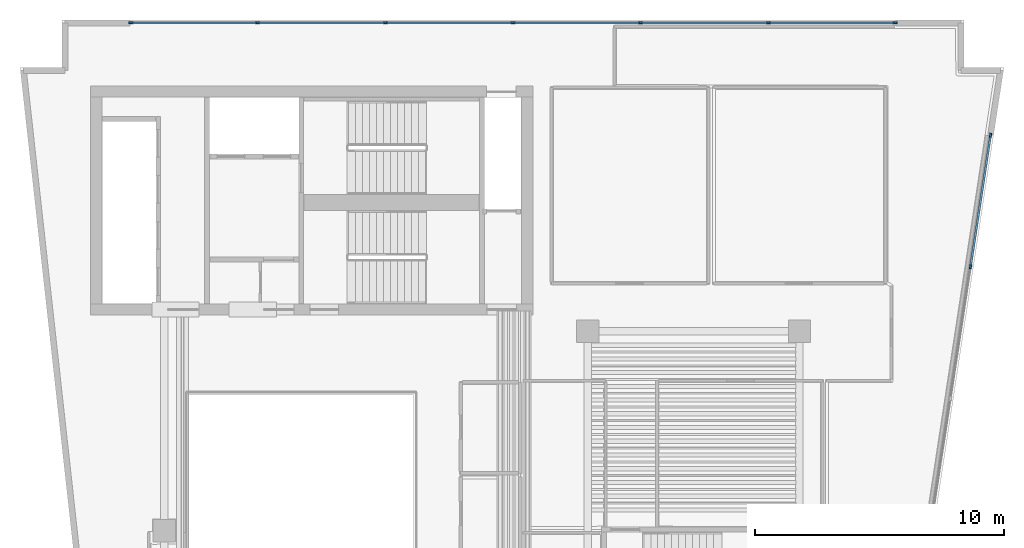
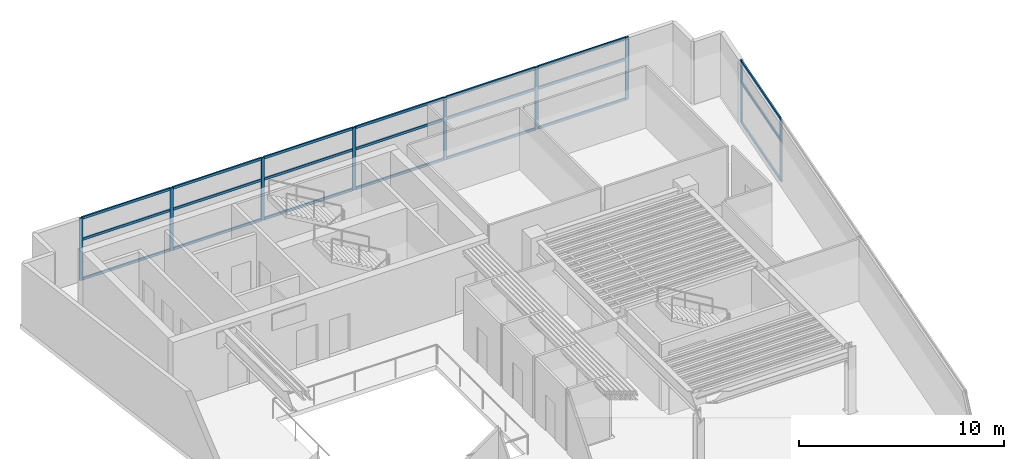
# One storey, part 2 of 8: 30 members, 2 elements without a shape of their own.
"""IFC4 building model written with IfcOpenShell, lengths in metres."""

from ifc_helpers import new_model, si_unit, direction, frame, origin, origin_2d, place, context, subcontext, project, spatial, rectangle, extrude, material, layer, layer_set, material_profile, profile_set, type_object, element, aggregate, save


model = new_model("IFC4")

# Units and contexts
model_context = context("Model", 3, precision=1e-05, world=origin(), true_north=direction((0.0, 1.0)))
body_context = subcontext(model_context, "Body", "Model", "MODEL_VIEW")
ifc_project = project(units=[si_unit("LENGTHUNIT", "METRE"), si_unit("AREAUNIT", "SQUARE_METRE"), si_unit("VOLUMEUNIT", "CUBIC_METRE"), si_unit("PLANEANGLEUNIT", "RADIAN"), si_unit("MASSUNIT", "GRAM", prefix="KILO")], contexts=[model_context])

# Site, building, storey
site_placement = place(None, origin())
site = spatial("IfcSite", under=ifc_project, at=site_placement, CompositionType="ELEMENT")
building_placement = place(site_placement, origin())
building = spatial("IfcBuilding", under=site, at=building_placement, Name="Caeloran Harvest Quay", CompositionType="ELEMENT")
storey_placement = place(building_placement, frame((0.0, 0.0, 239.050048828125)))
storey = spatial("IfcBuildingStorey", under=building, at=storey_placement, Name="L57", CompositionType="ELEMENT", Elevation=239.050048828125)

# Curtain wall, members
ifc_material_1 = material(Name="Aluminium 6063-T6 and Low-E Glazing", Category="aluminium")
ifc_layer = layer(ifc_material_1, 0.219970703125, Name="Aluminium 6063-T6 and Low-E Glazing")
ifc_layer_set = layer_set([ifc_layer], Name="Aluminium 6063-T6 and Low-E Glazing")
curtain_wall_type = type_object("IfcCurtainWallType", Name="CW-SYS-CW-5", PredefinedType="USERDEFINED", material=ifc_layer_set)
curtain_wall_1_placement = place(storey_placement, origin())
curtain_wall_1 = element("IfcCurtainWall", 1, at=curtain_wall_1_placement, inside=storey, type_object=curtain_wall_type, Name="L57 Unitised Curtain Wall CW-5 Run 6", ObjectType="CURTAIN_WALL", PredefinedType="USERDEFINED")
ifc_material_2 = material(Name="Aluminium 6063-T6", Category="aluminium")
ifc_material_profile_1 = material_profile(ifc_material_2, rectangle(XDim=0.080078125, YDim=0.179931640625, at=origin_2d()), Name="CW-MULLION-180")
ifc_profile_set_1 = profile_set([ifc_material_profile_1], Name="Aluminium 6063-T6")
member_type_1 = type_object("IfcMemberType", Name="CW-MULLION-180", PredefinedType="MULLION", material=ifc_profile_set_1)
member_1_placement = place(storey_placement, frame((7.159912109375, 43.3798828125, 0.0), z_axis=(0.0, 0.0, 1.0), x_axis=(0.0, 1.0, 0.0)))
member_1 = element("IfcMember", 2, at=member_1_placement, type_object=member_type_1, Name="CW-5 mullion 1", PredefinedType="MULLION", context=body_context, shape_type="SweptSolid", body=[
    extrude(rectangle(XDim=0.080078125, YDim=0.179931640625, at=origin_2d()), origin(), (0.0, 0.0, 1.0), 3.699951171875),
])
member_2_placement = place(storey_placement, frame((12.24658203125, 43.3798828125, 0.0), z_axis=(0.0, 0.0, 1.0), x_axis=(0.0, 1.0, 0.0)))
member_2 = element("IfcMember", 3, at=member_2_placement, type_object=member_type_1, Name="CW-5 mullion 2", PredefinedType="MULLION", context=body_context, shape_type="SweptSolid", body=[
    extrude(rectangle(XDim=0.080078125, YDim=0.179931640625, at=origin_2d()), origin(), (0.0, 0.0, 1.0), 3.699951171875),
])
member_3_placement = place(storey_placement, frame((17.373291015625, 43.3798828125, 0.0), z_axis=(0.0, 0.0, 1.0), x_axis=(0.0, 1.0, 0.0)))
member_3 = element("IfcMember", 4, at=member_3_placement, type_object=member_type_1, Name="CW-5 mullion 3", PredefinedType="MULLION", context=body_context, shape_type="SweptSolid", body=[
    extrude(rectangle(XDim=0.080078125, YDim=0.179931640625, at=origin_2d()), origin(), (0.0, 0.0, 1.0), 3.699951171875),
])
member_4_placement = place(storey_placement, frame((22.5, 43.3798828125, 0.0), z_axis=(0.0, 0.0, 1.0), x_axis=(0.0, 1.0, 0.0)))
member_4 = element("IfcMember", 5, at=member_4_placement, type_object=member_type_1, Name="CW-5 mullion 4", PredefinedType="MULLION", context=body_context, shape_type="SweptSolid", body=[
    extrude(rectangle(XDim=0.080078125, YDim=0.179931640625, at=origin_2d()), origin(), (0.0, 0.0, 1.0), 3.699951171875),
])
member_5_placement = place(storey_placement, frame((27.626708984375, 43.3798828125, 0.0), z_axis=(0.0, 0.0, 1.0), x_axis=(0.0, 1.0, 0.0)))
member_5 = element("IfcMember", 6, at=member_5_placement, type_object=member_type_1, Name="CW-5 mullion 5", PredefinedType="MULLION", context=body_context, shape_type="SweptSolid", body=[
    extrude(rectangle(XDim=0.080078125, YDim=0.179931640625, at=origin_2d()), origin(), (0.0, 0.0, 1.0), 3.699951171875),
])
member_6_placement = place(storey_placement, frame((32.75341796875, 43.3798828125, 0.0), z_axis=(0.0, 0.0, 1.0), x_axis=(0.0, 1.0, 0.0)))
member_6 = element("IfcMember", 7, at=member_6_placement, type_object=member_type_1, Name="CW-5 mullion 6", PredefinedType="MULLION", context=body_context, shape_type="SweptSolid", body=[
    extrude(rectangle(XDim=0.080078125, YDim=0.179931640625, at=origin_2d()), origin(), (0.0, 0.0, 1.0), 3.699951171875),
])
member_7_placement = place(storey_placement, frame((37.840087890625, 43.3798828125, 0.0), z_axis=(0.0, 0.0, 1.0), x_axis=(0.0, 1.0, 0.0)))
member_7 = element("IfcMember", 8, at=member_7_placement, type_object=member_type_1, Name="CW-5 mullion 7", PredefinedType="MULLION", context=body_context, shape_type="SweptSolid", body=[
    extrude(rectangle(XDim=0.080078125, YDim=0.179931640625, at=origin_2d()), origin(), (0.0, 0.0, 1.0), 3.699951171875),
])

curtain_wall_2_placement = place(storey_placement, origin())
curtain_wall_2 = element("IfcCurtainWall", 9, at=curtain_wall_2_placement, inside=storey, type_object=curtain_wall_type, Name="L57 Unitised Curtain Wall CW-5 Run 9", ObjectType="CURTAIN_WALL", PredefinedType="USERDEFINED")
member_8_placement = place(storey_placement, frame((41.671142578125, 38.870361328125, 0.0), z_axis=(0.0, 0.0, 1.0), x_axis=(0.988529547698, -0.151027591278, 0.0)))
member_8 = element("IfcMember", 10, at=member_8_placement, type_object=member_type_1, Name="CW-5 mullion 1", PredefinedType="MULLION", context=body_context, shape_type="SweptSolid", body=[
    extrude(rectangle(XDim=0.080078125, YDim=0.179931640625, at=origin_2d()), origin(), (0.0, 0.0, 1.0), 3.699951171875),
])
member_9_placement = place(storey_placement, frame((40.8671875, 33.6064453125, 0.0), z_axis=(0.0, 0.0, 1.0), x_axis=(0.988529547698, -0.151027591278, 0.0)))
member_9 = element("IfcMember", 11, at=member_9_placement, type_object=member_type_1, Name="CW-5 mullion 2", PredefinedType="MULLION", context=body_context, shape_type="SweptSolid", body=[
    extrude(rectangle(XDim=0.080078125, YDim=0.179931640625, at=origin_2d()), origin(), (0.0, 0.0, 1.0), 3.699951171875),
])

# Member
ifc_material_profile_2 = material_profile(ifc_material_2, rectangle(XDim=0.080078125, YDim=0.14990234375, at=origin_2d()), Name="CW-TRANSOM-150")
ifc_profile_set_2 = profile_set([ifc_material_profile_2], Name="Aluminium 6063-T6")
member_type_2 = type_object("IfcMemberType", Name="CW-TRANSOM-150", PredefinedType="USERDEFINED", material=ifc_profile_set_2)
member_10_placement = place(storey_placement, frame((7.199951171875, 43.3798828125, 0.0400390625), z_axis=(1.0, 0.0, 0.0), x_axis=(0.0, 1.0, 0.0)))
member_10 = element("IfcMember", 12, at=member_10_placement, type_object=member_type_2, Name="CW-5 transom 1.1", ObjectType="TRANSOM", PredefinedType="USERDEFINED", context=body_context, shape_type="SweptSolid", body=[
    extrude(rectangle(XDim=0.080078125, YDim=0.14990234375, at=origin_2d()), origin(), (0.0, 0.0, 1.0), 5.0068359375),
])

member_11_placement = place(storey_placement, frame((7.199951171875, 43.3798828125, 2.39990234375), z_axis=(1.0, 0.0, 0.0), x_axis=(0.0, 1.0, 0.0)))
member_11 = element("IfcMember", 13, at=member_11_placement, type_object=member_type_2, Name="CW-5 transom 1.2", ObjectType="TRANSOM", PredefinedType="USERDEFINED", context=body_context, shape_type="SweptSolid", body=[
    extrude(rectangle(XDim=0.080078125, YDim=0.14990234375, at=origin_2d()), origin(), (0.0, 0.0, 1.0), 5.0068359375),
])

member_12_placement = place(storey_placement, frame((7.199951171875, 43.3798828125, 3.659912109375), z_axis=(1.0, 0.0, 0.0), x_axis=(0.0, 1.0, 0.0)))
member_12 = element("IfcMember", 14, at=member_12_placement, type_object=member_type_2, Name="CW-5 transom 1.3", ObjectType="TRANSOM", PredefinedType="USERDEFINED", context=body_context, shape_type="SweptSolid", body=[
    extrude(rectangle(XDim=0.080078125, YDim=0.14990234375, at=origin_2d()), origin(), (0.0, 0.0, 1.0), 5.0068359375),
])

member_13_placement = place(storey_placement, frame((12.28662109375, 43.3798828125, 0.0400390625), z_axis=(1.0, 0.0, 0.0), x_axis=(0.0, 1.0, 0.0)))
member_13 = element("IfcMember", 15, at=member_13_placement, type_object=member_type_2, Name="CW-5 transom 2.1", ObjectType="TRANSOM", PredefinedType="USERDEFINED", context=body_context, shape_type="SweptSolid", body=[
    extrude(rectangle(XDim=0.080078125, YDim=0.14990234375, at=origin_2d()), origin(), (0.0, 0.0, 1.0), 5.046630859375),
])

member_14_placement = place(storey_placement, frame((12.28662109375, 43.3798828125, 2.39990234375), z_axis=(1.0, 0.0, 0.0), x_axis=(0.0, 1.0, 0.0)))
member_14 = element("IfcMember", 16, at=member_14_placement, type_object=member_type_2, Name="CW-5 transom 2.2", ObjectType="TRANSOM", PredefinedType="USERDEFINED", context=body_context, shape_type="SweptSolid", body=[
    extrude(rectangle(XDim=0.080078125, YDim=0.14990234375, at=origin_2d()), origin(), (0.0, 0.0, 1.0), 5.046630859375),
])

member_15_placement = place(storey_placement, frame((12.28662109375, 43.3798828125, 3.659912109375), z_axis=(1.0, 0.0, 0.0), x_axis=(0.0, 1.0, 0.0)))
member_15 = element("IfcMember", 17, at=member_15_placement, type_object=member_type_2, Name="CW-5 transom 2.3", ObjectType="TRANSOM", PredefinedType="USERDEFINED", context=body_context, shape_type="SweptSolid", body=[
    extrude(rectangle(XDim=0.080078125, YDim=0.14990234375, at=origin_2d()), origin(), (0.0, 0.0, 1.0), 5.046630859375),
])

member_16_placement = place(storey_placement, frame((17.413330078125, 43.3798828125, 0.0400390625), z_axis=(1.0, 0.0, 0.0), x_axis=(0.0, 1.0, 0.0)))
member_16 = element("IfcMember", 18, at=member_16_placement, type_object=member_type_2, Name="CW-5 transom 3.1", ObjectType="TRANSOM", PredefinedType="USERDEFINED", context=body_context, shape_type="SweptSolid", body=[
    extrude(rectangle(XDim=0.080078125, YDim=0.14990234375, at=origin_2d()), origin(), (0.0, 0.0, 1.0), 5.046630859375),
])

member_17_placement = place(storey_placement, frame((17.413330078125, 43.3798828125, 2.39990234375), z_axis=(1.0, 0.0, 0.0), x_axis=(0.0, 1.0, 0.0)))
member_17 = element("IfcMember", 19, at=member_17_placement, type_object=member_type_2, Name="CW-5 transom 3.2", ObjectType="TRANSOM", PredefinedType="USERDEFINED", context=body_context, shape_type="SweptSolid", body=[
    extrude(rectangle(XDim=0.080078125, YDim=0.14990234375, at=origin_2d()), origin(), (0.0, 0.0, 1.0), 5.046630859375),
])

member_18_placement = place(storey_placement, frame((17.413330078125, 43.3798828125, 3.659912109375), z_axis=(1.0, 0.0, 0.0), x_axis=(0.0, 1.0, 0.0)))
member_18 = element("IfcMember", 20, at=member_18_placement, type_object=member_type_2, Name="CW-5 transom 3.3", ObjectType="TRANSOM", PredefinedType="USERDEFINED", context=body_context, shape_type="SweptSolid", body=[
    extrude(rectangle(XDim=0.080078125, YDim=0.14990234375, at=origin_2d()), origin(), (0.0, 0.0, 1.0), 5.046630859375),
])

member_19_placement = place(storey_placement, frame((22.5400390625, 43.3798828125, 0.0400390625), z_axis=(1.0, 0.0, 0.0), x_axis=(0.0, 1.0, 0.0)))
member_19 = element("IfcMember", 21, at=member_19_placement, type_object=member_type_2, Name="CW-5 transom 4.1", ObjectType="TRANSOM", PredefinedType="USERDEFINED", context=body_context, shape_type="SweptSolid", body=[
    extrude(rectangle(XDim=0.080078125, YDim=0.14990234375, at=origin_2d()), origin(), (0.0, 0.0, 1.0), 5.046630859375),
])

member_20_placement = place(storey_placement, frame((22.5400390625, 43.3798828125, 2.39990234375), z_axis=(1.0, 0.0, 0.0), x_axis=(0.0, 1.0, 0.0)))
member_20 = element("IfcMember", 22, at=member_20_placement, type_object=member_type_2, Name="CW-5 transom 4.2", ObjectType="TRANSOM", PredefinedType="USERDEFINED", context=body_context, shape_type="SweptSolid", body=[
    extrude(rectangle(XDim=0.080078125, YDim=0.14990234375, at=origin_2d()), origin(), (0.0, 0.0, 1.0), 5.046630859375),
])

member_21_placement = place(storey_placement, frame((22.5400390625, 43.3798828125, 3.659912109375), z_axis=(1.0, 0.0, 0.0), x_axis=(0.0, 1.0, 0.0)))
member_21 = element("IfcMember", 23, at=member_21_placement, type_object=member_type_2, Name="CW-5 transom 4.3", ObjectType="TRANSOM", PredefinedType="USERDEFINED", context=body_context, shape_type="SweptSolid", body=[
    extrude(rectangle(XDim=0.080078125, YDim=0.14990234375, at=origin_2d()), origin(), (0.0, 0.0, 1.0), 5.046630859375),
])

member_22_placement = place(storey_placement, frame((27.666748046875, 43.3798828125, 0.0400390625), z_axis=(1.0, 0.0, 0.0), x_axis=(0.0, 1.0, 0.0)))
member_22 = element("IfcMember", 24, at=member_22_placement, type_object=member_type_2, Name="CW-5 transom 5.1", ObjectType="TRANSOM", PredefinedType="USERDEFINED", context=body_context, shape_type="SweptSolid", body=[
    extrude(rectangle(XDim=0.080078125, YDim=0.14990234375, at=origin_2d()), origin(), (0.0, 0.0, 1.0), 5.046630859375),
])

member_23_placement = place(storey_placement, frame((27.666748046875, 43.3798828125, 2.39990234375), z_axis=(1.0, 0.0, 0.0), x_axis=(0.0, 1.0, 0.0)))
member_23 = element("IfcMember", 25, at=member_23_placement, type_object=member_type_2, Name="CW-5 transom 5.2", ObjectType="TRANSOM", PredefinedType="USERDEFINED", context=body_context, shape_type="SweptSolid", body=[
    extrude(rectangle(XDim=0.080078125, YDim=0.14990234375, at=origin_2d()), origin(), (0.0, 0.0, 1.0), 5.046630859375),
])

member_24_placement = place(storey_placement, frame((27.666748046875, 43.3798828125, 3.659912109375), z_axis=(1.0, 0.0, 0.0), x_axis=(0.0, 1.0, 0.0)))
member_24 = element("IfcMember", 26, at=member_24_placement, type_object=member_type_2, Name="CW-5 transom 5.3", ObjectType="TRANSOM", PredefinedType="USERDEFINED", context=body_context, shape_type="SweptSolid", body=[
    extrude(rectangle(XDim=0.080078125, YDim=0.14990234375, at=origin_2d()), origin(), (0.0, 0.0, 1.0), 5.046630859375),
])

member_25_placement = place(storey_placement, frame((32.793212890625, 43.3798828125, 0.0400390625), z_axis=(1.0, 0.0, 0.0), x_axis=(0.0, 1.0, 0.0)))
member_25 = element("IfcMember", 27, at=member_25_placement, type_object=member_type_2, Name="CW-5 transom 6.1", ObjectType="TRANSOM", PredefinedType="USERDEFINED", context=body_context, shape_type="SweptSolid", body=[
    extrude(rectangle(XDim=0.080078125, YDim=0.14990234375, at=origin_2d()), origin(), (0.0, 0.0, 1.0), 5.0068359375),
])

member_26_placement = place(storey_placement, frame((32.793212890625, 43.3798828125, 2.39990234375), z_axis=(1.0, 0.0, 0.0), x_axis=(0.0, 1.0, 0.0)))
member_26 = element("IfcMember", 28, at=member_26_placement, type_object=member_type_2, Name="CW-5 transom 6.2", ObjectType="TRANSOM", PredefinedType="USERDEFINED", context=body_context, shape_type="SweptSolid", body=[
    extrude(rectangle(XDim=0.080078125, YDim=0.14990234375, at=origin_2d()), origin(), (0.0, 0.0, 1.0), 5.0068359375),
])

member_27_placement = place(storey_placement, frame((32.793212890625, 43.3798828125, 3.659912109375), z_axis=(1.0, 0.0, 0.0), x_axis=(0.0, 1.0, 0.0)))
member_27 = element("IfcMember", 29, at=member_27_placement, type_object=member_type_2, Name="CW-5 transom 6.3", ObjectType="TRANSOM", PredefinedType="USERDEFINED", context=body_context, shape_type="SweptSolid", body=[
    extrude(rectangle(XDim=0.080078125, YDim=0.14990234375, at=origin_2d()), origin(), (0.0, 0.0, 1.0), 5.0068359375),
])

aggregate(curtain_wall_1, [member_1, member_2, member_3, member_4, member_5, member_6, member_7, member_10, member_11, member_12, member_13, member_14, member_15, member_16, member_17, member_18, member_19, member_20, member_21, member_22, member_23, member_24, member_25, member_26, member_27])

member_28_placement = place(storey_placement, frame((41.665283203125, 38.830810546875, 0.0400390625), z_axis=(-0.151046246318, -0.9885266974, 0.0), x_axis=(0.9885266974, -0.151046246318, 0.0)))
member_28 = element("IfcMember", 30, at=member_28_placement, type_object=member_type_2, Name="CW-5 transom 1.1", ObjectType="TRANSOM", PredefinedType="USERDEFINED", context=body_context, shape_type="SweptSolid", body=[
    extrude(rectangle(XDim=0.080078125, YDim=0.14990234375, at=origin_2d()), origin(), (0.0, 0.0, 1.0), 5.244873046875),
])

member_29_placement = place(storey_placement, frame((41.665283203125, 38.830810546875, 2.39990234375), z_axis=(-0.151046246318, -0.9885266974, 0.0), x_axis=(0.9885266974, -0.151046246318, 0.0)))
member_29 = element("IfcMember", 31, at=member_29_placement, type_object=member_type_2, Name="CW-5 transom 1.2", ObjectType="TRANSOM", PredefinedType="USERDEFINED", context=body_context, shape_type="SweptSolid", body=[
    extrude(rectangle(XDim=0.080078125, YDim=0.14990234375, at=origin_2d()), origin(), (0.0, 0.0, 1.0), 5.244873046875),
])

member_30_placement = place(storey_placement, frame((41.665283203125, 38.830810546875, 3.659912109375), z_axis=(-0.151046246318, -0.9885266974, 0.0), x_axis=(0.9885266974, -0.151046246318, 0.0)))
member_30 = element("IfcMember", 32, at=member_30_placement, type_object=member_type_2, Name="CW-5 transom 1.3", ObjectType="TRANSOM", PredefinedType="USERDEFINED", context=body_context, shape_type="SweptSolid", body=[
    extrude(rectangle(XDim=0.080078125, YDim=0.14990234375, at=origin_2d()), origin(), (0.0, 0.0, 1.0), 5.244873046875),
])

aggregate(curtain_wall_2, [member_8, member_9, member_28, member_29, member_30])

save(model, "model.ifc")
